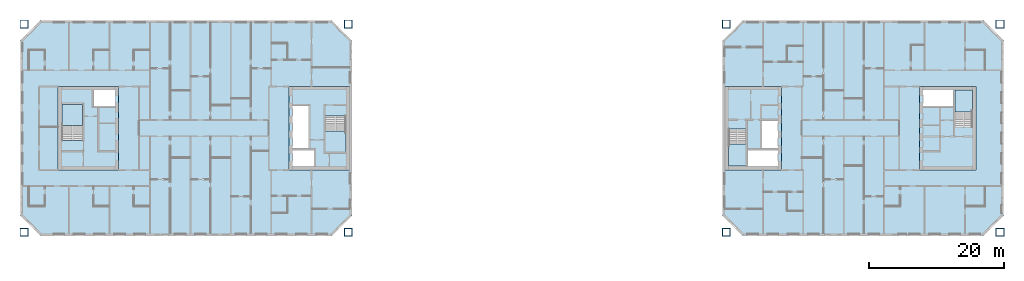
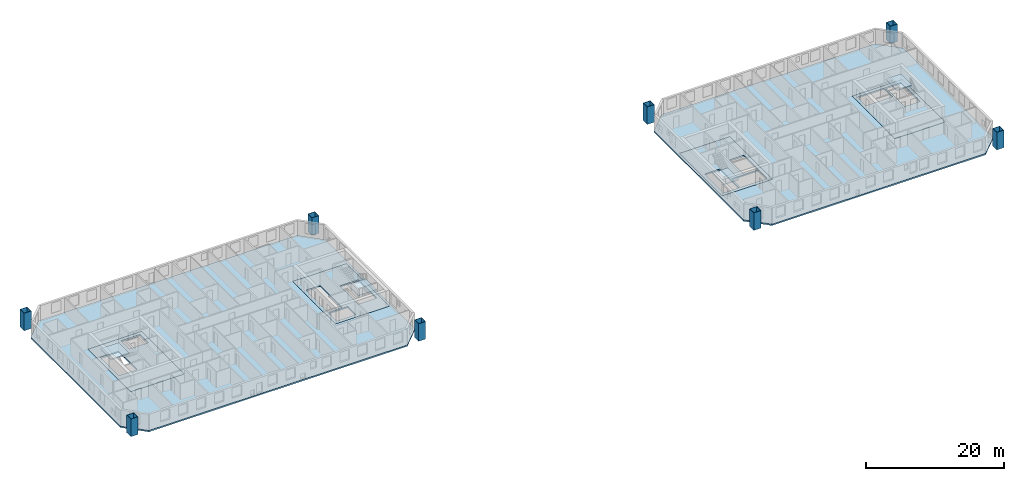
# One storey, part 1 of 16: 10 slabs, 8 columns, 4 elements without a shape of their own.
"""IFC4 building model written with IfcOpenShell, lengths in metres."""

from ifc_helpers import new_model, si_unit, direction, frame, origin, origin_2d, place, context, subcontext, project, spatial, polyline, hollow_rectangle, outline, extrude, material, layer, layer_set, material_profile, profile_set, type_object, element, aggregate, save


model = new_model("IFC4")

# Units and contexts
model_context = context("Model", 3, precision=1e-05, world=origin(), true_north=direction((0.0, 1.0)))
body_context = subcontext(model_context, "Body", "Model", "MODEL_VIEW")
ifc_project = project(units=[si_unit("LENGTHUNIT", "METRE"), si_unit("AREAUNIT", "SQUARE_METRE"), si_unit("VOLUMEUNIT", "CUBIC_METRE"), si_unit("PLANEANGLEUNIT", "RADIAN"), si_unit("MASSUNIT", "GRAM", prefix="KILO")], contexts=[model_context])

# Site, building, storey
site_placement = place(None, origin())
site = spatial("IfcSite", under=ifc_project, at=site_placement, CompositionType="ELEMENT")
building_placement = place(site_placement, origin())
building = spatial("IfcBuilding", under=site, at=building_placement, Name="Tuart Gate Housing", CompositionType="ELEMENT")
storey_placement = place(building_placement, frame((0.0, 0.0, 136.10009765625)))
storey = spatial("IfcBuildingStorey", under=building, at=storey_placement, Name="L38", CompositionType="ELEMENT", Elevation=136.10009765625)

# Columns
ifc_material_1 = material(Name="Steel Grade 350", Category="steel")
ifc_material_profile = material_profile(ifc_material_1, hollow_rectangle(XDim=1.199951171875, YDim=1.199951171875, WallThickness=0.06494140625, at=origin_2d()), Name="BOX 1200x1200x65")
ifc_profile_set = profile_set([ifc_material_profile], Name="Steel Grade 350")
column_type = type_object("IfcColumnType", Name="Mega column BOX 1200x1200x65", PredefinedType="COLUMN", material=ifc_profile_set)
for number, where, z_axis, x_axis, name in (
    (1, (27.300048828125, 54.550048828125, 0.0), (0.0, 0.0, 1.0), (1.0, 0.0, 0.0), "Mega column A south-west L38"),
    (2, (75.449951171875, 54.550048828125, 0.0), (0.0, 0.0, 1.0), (1.0, 0.0, 0.0), "Mega column A south-east L38"),
    (3, (75.449951171875, 85.449951171875, 0.0), (0.0, 0.0, 1.0), (1.0, 0.0, 0.0), "Mega column A north-east L38"),
    (4, (27.300048828125, 85.449951171875, 0.0), (0.0, 0.0, 1.0), (1.0, 0.0, 0.0), "Mega column A north-west L38"),
    (5, (131.550048828125, 54.550048828125, 0.0), (0.0, 0.0, 1.0), (1.0, 0.0, 0.0), "Mega column B south-west L38"),
    (6, (172.199951171875, 54.550048828125, 0.0), (0.0, 0.0, 1.0), (1.0, 0.0, 0.0), "Mega column B south-east L38"),
    (7, (172.199951171875, 85.449951171875, 0.0), (0.0, 0.0, 1.0), (1.0, 0.0, 0.0), "Mega column B north-east L38"),
    (8, (131.550048828125, 85.449951171875, 0.0), (0.0, 0.0, 1.0), (1.0, 0.0, 0.0), "Mega column B north-west L38"),
):
    element("IfcColumn", number, at=place(storey_placement, frame(where, z_axis=z_axis, x_axis=x_axis)), inside=storey, type_object=column_type, Name=name, PredefinedType="COLUMN", context=body_context, shape_type="SweptSolid", body=[
        extrude(hollow_rectangle(XDim=1.199951171875, YDim=1.199951171875, WallThickness=0.06494140625, at=origin_2d()), origin(), (0.0, 0.0, 1.0), 3.099853515625),
    ])

# Slabs
ifc_material_2 = material(Name="Concrete C40", Category="concrete")
ifc_layer_1 = layer(ifc_material_2, 0.25)
ifc_layer_set_1 = layer_set([ifc_layer_1], Name="Core floor slab 250")
slab_type_1 = type_object("IfcSlabType", Name="Core floor slab 250", PredefinedType="FLOOR", material=ifc_layer_set_1)
slab_1_placement = place(storey_placement, frame((0.0, 0.0, -0.25)))
element("IfcSlab", 9, at=slab_1_placement, inside=storey, type_object=slab_type_1, Name="Core floor AG", PredefinedType="FLOOR", context=body_context, shape_type="SweptSolid", body=[
    extrude(outline(polyline([(66.639892578125, 63.800048828125), (75.639892578125, 63.800048828125), (75.639892578125, 76.199951171875), (66.639892578125, 76.199951171875), (66.639892578125, 63.800048828125)]), holes=[polyline([(67.18994140625, 64.35009765625), (70.385009765625, 64.35009765625), (70.385009765625, 66.72509765625), (67.18994140625, 66.72509765625), (67.18994140625, 64.35009765625)]), polyline([(67.18994140625, 66.97509765625), (69.56494140625, 66.97509765625), (69.56494140625, 73.324951171875), (67.18994140625, 73.324951171875), (67.18994140625, 66.97509765625)]), polyline([(72.014892578125, 66.47509765625), (75.090087890625, 66.47509765625), (75.090087890625, 71.804931640625), (72.014892578125, 71.804931640625), (72.014892578125, 66.47509765625)])]), origin(), (0.0, 0.0, 1.0), 0.25),
])
slab_2_placement = place(storey_placement, frame((0.0, 0.0, -0.25)))
element("IfcSlab", 10, at=slab_2_placement, inside=storey, type_object=slab_type_1, Name="Core floor AK", PredefinedType="FLOOR", context=body_context, shape_type="SweptSolid", body=[
    extrude(outline(polyline([(32.360107421875, 63.800048828125), (41.360107421875, 63.800048828125), (41.360107421875, 76.199951171875), (32.360107421875, 76.199951171875), (32.360107421875, 63.800048828125)]), holes=[polyline([(40.81005859375, 75.64990234375), (37.614990234375, 75.64990234375), (37.614990234375, 73.27490234375), (40.81005859375, 73.27490234375), (40.81005859375, 75.64990234375)]), polyline([(35.985107421875, 73.52490234375), (32.909912109375, 73.52490234375), (32.909912109375, 68.195068359375), (35.985107421875, 68.195068359375), (35.985107421875, 73.52490234375)])]), origin(), (0.0, 0.0, 1.0), 0.25),
])
slab_3_placement = place(storey_placement, frame((0.0, 0.0, -0.25)))
element("IfcSlab", 11, at=slab_3_placement, inside=storey, type_object=slab_type_1, Name="Core floor BG", PredefinedType="FLOOR", context=body_context, shape_type="SweptSolid", body=[
    extrude(outline(polyline([(131.360107421875, 63.800048828125), (139.760009765625, 63.800048828125), (139.760009765625, 76.199951171875), (131.360107421875, 76.199951171875), (131.360107421875, 63.800048828125)]), holes=[polyline([(139.2099609375, 66.85009765625), (134.735107421875, 66.85009765625), (134.735107421875, 64.35009765625), (139.2099609375, 64.35009765625), (139.2099609375, 66.85009765625)]), polyline([(139.2099609375, 71.125), (136.8349609375, 71.125), (136.8349609375, 66.97509765625), (139.2099609375, 66.97509765625), (139.2099609375, 71.125)]), polyline([(134.485107421875, 69.85498046875), (131.909912109375, 69.85498046875), (131.909912109375, 64.35009765625), (134.485107421875, 64.35009765625), (134.485107421875, 69.85498046875)])]), origin(), (0.0, 0.0, 1.0), 0.25),
])
slab_4_placement = place(storey_placement, frame((0.0, 0.0, -0.25)))
element("IfcSlab", 12, at=slab_4_placement, inside=storey, type_object=slab_type_1, Name="Core floor BK", PredefinedType="FLOOR", context=body_context, shape_type="SweptSolid", body=[
    extrude(outline(polyline([(160.239990234375, 63.800048828125), (168.639892578125, 63.800048828125), (168.639892578125, 76.199951171875), (160.239990234375, 76.199951171875), (160.239990234375, 63.800048828125)]), holes=[polyline([(160.7900390625, 73.14990234375), (165.264892578125, 73.14990234375), (165.264892578125, 75.64990234375), (160.7900390625, 75.64990234375), (160.7900390625, 73.14990234375)]), polyline([(165.514892578125, 70.14501953125), (168.090087890625, 70.14501953125), (168.090087890625, 75.64990234375), (165.514892578125, 75.64990234375), (165.514892578125, 70.14501953125)])]), origin(), (0.0, 0.0, 1.0), 0.25),
])
ifc_material_3 = material(Name="Concrete C40", Category="concrete")
ifc_layer_2 = layer(ifc_material_3, 0.25)
ifc_layer_set_2 = layer_set([ifc_layer_2], Name="Flat plate 250")
slab_type_2 = type_object("IfcSlabType", Name="Flat plate 250", PredefinedType="FLOOR", material=ifc_layer_set_2)
slab_5_placement = place(storey_placement, frame((0.0, 0.0, -0.25)))
element("IfcSlab", 13, at=slab_5_placement, inside=storey, type_object=slab_type_2, Name="Floor slab A L38", PredefinedType="FLOOR", context=body_context, shape_type="SweptSolid", body=[
    extrude(outline(polyline([(29.75, 86.0), (26.75, 83.0), (26.75, 57.0), (29.75, 54.0), (73.0, 54.0), (76.0, 57.0), (76.0, 83.0), (73.0, 86.0), (29.75, 86.0)]), holes=[polyline([(66.639892578125, 76.199951171875), (75.639892578125, 76.199951171875), (75.639892578125, 63.800048828125), (66.639892578125, 63.800048828125), (66.639892578125, 76.199951171875)]), polyline([(41.360107421875, 76.199951171875), (41.360107421875, 63.800048828125), (32.360107421875, 63.800048828125), (32.360107421875, 76.199951171875), (41.360107421875, 76.199951171875)])]), origin(), (0.0, 0.0, 1.0), 0.25),
])
slab_6_placement = place(storey_placement, frame((0.0, 0.0, -0.25)))
element("IfcSlab", 14, at=slab_6_placement, inside=storey, type_object=slab_type_2, Name="Floor slab B L38", PredefinedType="FLOOR", context=body_context, shape_type="SweptSolid", body=[
    extrude(outline(polyline([(134.0, 86.0), (131.0, 83.0), (131.0, 57.0), (134.0, 54.0), (169.75, 54.0), (172.75, 57.0), (172.75, 83.0), (169.75, 86.0), (134.0, 86.0)]), holes=[polyline([(131.360107421875, 76.199951171875), (139.760009765625, 76.199951171875), (139.760009765625, 63.800048828125), (131.360107421875, 63.800048828125), (131.360107421875, 76.199951171875)]), polyline([(168.639892578125, 76.199951171875), (168.639892578125, 63.800048828125), (160.239990234375, 63.800048828125), (160.239990234375, 76.199951171875), (168.639892578125, 76.199951171875)])]), origin(), (0.0, 0.0, 1.0), 0.25),
])

# Stair, slab
ifc_material_4 = material(Name="Concrete C40", Category="concrete")
stair_type_1 = type_object("IfcStairType", Name="Core stair 1500", PredefinedType="HALF_TURN_STAIR", material=ifc_material_4)
stair_1_placement = place(storey_placement, origin())
stair_1 = element("IfcStair", 15, at=stair_1_placement, inside=storey, type_object=stair_type_1, Name="Stair SA1", PredefinedType="HALF_TURN_STAIR")
ifc_material_5 = material(Name="Concrete C40", Category="concrete")
ifc_layer_3 = layer(ifc_material_5, 0.199951171875)
ifc_layer_set_3 = layer_set([ifc_layer_3], Name="Stair landing 200")
slab_type_3 = type_object("IfcSlabType", Name="Stair landing 200", PredefinedType="LANDING", material=ifc_layer_set_3)
slab_7_placement = place(storey_placement, frame((0.0, 0.0, 1.349853515625)))
slab_7 = element("IfcSlab", 16, at=slab_7_placement, type_object=slab_type_3, Name="SA1 landing 1", PredefinedType="LANDING", context=body_context, shape_type="SweptSolid", body=[
    extrude(outline(polyline([(72.014892578125, 66.47509765625), (75.090087890625, 66.47509765625), (75.090087890625, 69.5849609375), (72.014892578125, 69.5849609375), (72.014892578125, 66.47509765625)])), origin(), (0.0, 0.0, 1.0), 0.199951171875),
])
aggregate(stair_1, [slab_7])

stair_2_placement = place(storey_placement, origin())
stair_2 = element("IfcStair", 17, at=stair_2_placement, inside=storey, type_object=stair_type_1, Name="Stair SA2", PredefinedType="HALF_TURN_STAIR")
slab_8_placement = place(storey_placement, frame((0.0, 0.0, 1.349853515625)))
slab_8 = element("IfcSlab", 18, at=slab_8_placement, type_object=slab_type_3, Name="SA2 landing 1", PredefinedType="LANDING", context=body_context, shape_type="SweptSolid", body=[
    extrude(outline(polyline([(35.985107421875, 73.52490234375), (32.909912109375, 73.52490234375), (32.909912109375, 70.4150390625), (35.985107421875, 70.4150390625), (35.985107421875, 73.52490234375)])), origin(), (0.0, 0.0, 1.0), 0.199951171875),
])
aggregate(stair_2, [slab_8])

ifc_material_6 = material(Name="Concrete C40", Category="concrete")
stair_type_2 = type_object("IfcStairType", Name="Core stair 1250", PredefinedType="HALF_TURN_STAIR", material=ifc_material_6)
stair_3_placement = place(storey_placement, origin())
stair_3 = element("IfcStair", 19, at=stair_3_placement, inside=storey, type_object=stair_type_2, Name="Stair SB1", PredefinedType="HALF_TURN_STAIR")
slab_9_placement = place(storey_placement, frame((0.0, 0.0, 1.349853515625)))
slab_9 = element("IfcSlab", 20, at=slab_9_placement, type_object=slab_type_3, Name="SB1 landing 1", PredefinedType="LANDING", context=body_context, shape_type="SweptSolid", body=[
    extrude(outline(polyline([(134.485107421875, 67.635009765625), (131.909912109375, 67.635009765625), (131.909912109375, 64.35009765625), (134.485107421875, 64.35009765625), (134.485107421875, 67.635009765625)])), origin(), (0.0, 0.0, 1.0), 0.199951171875),
])
aggregate(stair_3, [slab_9])

stair_4_placement = place(storey_placement, origin())
stair_4 = element("IfcStair", 21, at=stair_4_placement, inside=storey, type_object=stair_type_2, Name="Stair SB2", PredefinedType="HALF_TURN_STAIR")
slab_10_placement = place(storey_placement, frame((0.0, 0.0, 1.349853515625)))
slab_10 = element("IfcSlab", 22, at=slab_10_placement, type_object=slab_type_3, Name="SB2 landing 1", PredefinedType="LANDING", context=body_context, shape_type="SweptSolid", body=[
    extrude(outline(polyline([(165.514892578125, 72.364990234375), (168.090087890625, 72.364990234375), (168.090087890625, 75.64990234375), (165.514892578125, 75.64990234375), (165.514892578125, 72.364990234375)])), origin(), (0.0, 0.0, 1.0), 0.199951171875),
])
aggregate(stair_4, [slab_10])

save(model, "model.ifc")
